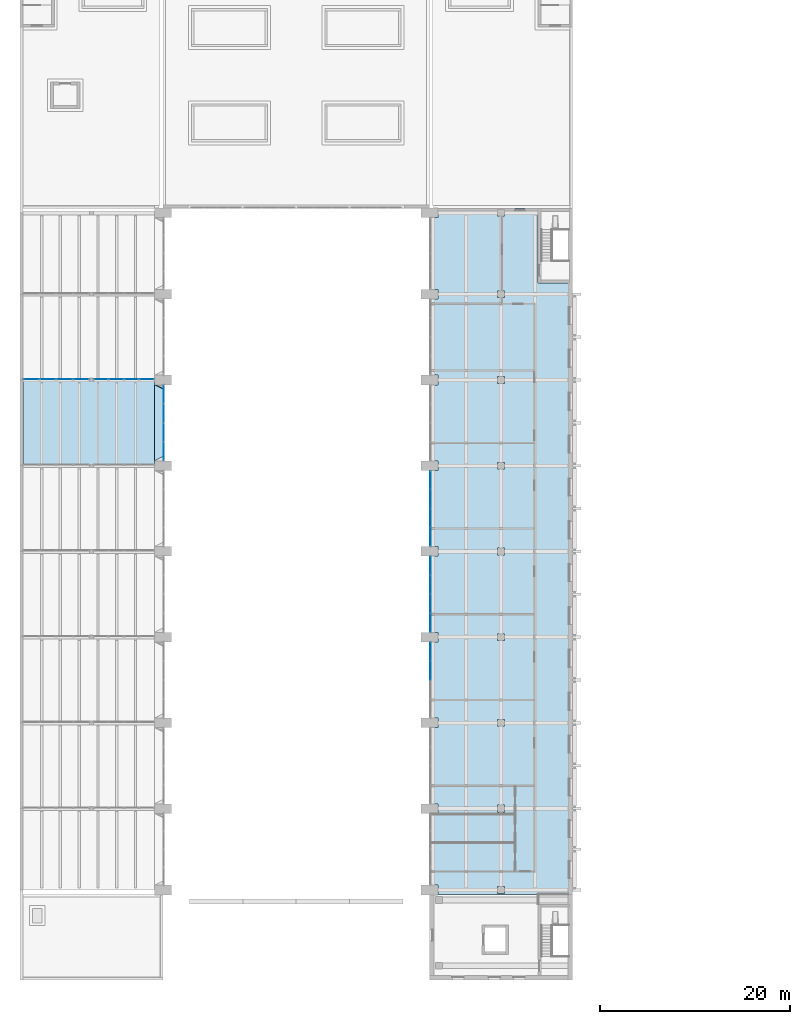
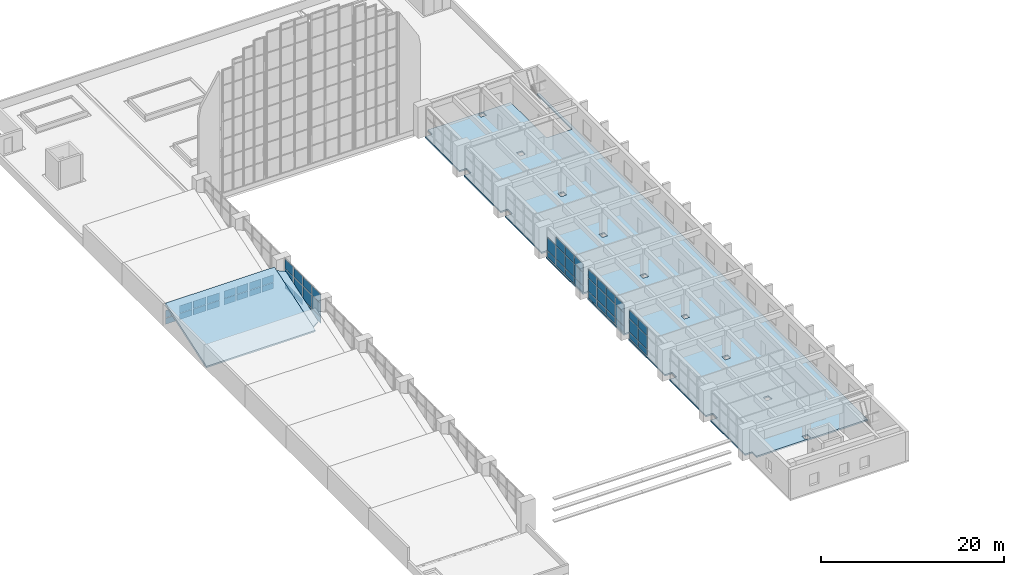
# One storey, part 25 of 43: 57 plates, 3 slabs, 12 elements without a shape of their own.
"""IFC4 building model written with IfcOpenShell, lengths in metres."""

from ifc_helpers import new_model, si_unit, direction, frame, origin, origin_2d, place, context, subcontext, project, spatial, polyline, rectangle, outline, extrude, material, layer, layer_set, type_object, element, aggregate, save


model = new_model("IFC4")

# Units and contexts
model_context = context("Model", 3, precision=1e-05, world=origin(), true_north=direction((0.0, 1.0)))
body_context = subcontext(model_context, "Body", "Model", "MODEL_VIEW")
ifc_project = project(units=[si_unit("LENGTHUNIT", "METRE"), si_unit("AREAUNIT", "SQUARE_METRE"), si_unit("VOLUMEUNIT", "CUBIC_METRE"), si_unit("PLANEANGLEUNIT", "RADIAN"), si_unit("MASSUNIT", "GRAM", prefix="KILO")], contexts=[model_context])

# Site, building, storey
site_placement = place(None, origin())
site = spatial("IfcSite", under=ifc_project, at=site_placement, CompositionType="ELEMENT")
building_placement = place(site_placement, origin())
building = spatial("IfcBuilding", under=site, at=building_placement, Name="Elmora Arch Market Hall", CompositionType="ELEMENT")
storey_placement = place(building_placement, frame((0.0, 0.0, 10.199951171875)))
storey = spatial("IfcBuildingStorey", under=building, at=storey_placement, Name="L02", CompositionType="ELEMENT", Elevation=10.199951171875)

# Slab
ifc_material_1 = material(Name="Concrete C32/40", Category="concrete")
ifc_layer_1 = layer(ifc_material_1, 0.199951171875)
ifc_layer_set_1 = layer_set([ifc_layer_1], Name="Concrete C32/40")
slab_type_1 = type_object("IfcSlabType", Name="Floor slab 200", PredefinedType="FLOOR", material=ifc_layer_set_1)
slab_1_placement = place(storey_placement, frame((0.0, 0.0, -0.199951171875)))
element("IfcSlab", 1, at=slab_1_placement, inside=storey, type_object=slab_type_1, Name="L02 floor slab EW", PredefinedType="FLOOR", context=body_context, shape_type="SweptSolid", body=[
    extrude(outline(polyline([(58.0, 99.0), (58.0, 27.0), (43.90087890625, 27.0), (43.90087890625, 27.950927734375), (43.0, 27.950927734375), (43.0, 35.4990234375), (43.90087890625, 35.4990234375), (43.90087890625, 36.5009765625), (43.0, 36.5009765625), (43.0, 44.4990234375), (43.90087890625, 44.4990234375), (43.90087890625, 45.5009765625), (43.0, 45.5009765625), (43.0, 53.4990234375), (43.90087890625, 53.4990234375), (43.90087890625, 54.5009765625), (43.0, 54.5009765625), (43.0, 62.4990234375), (43.90087890625, 62.4990234375), (43.90087890625, 63.5009765625), (43.0, 63.5009765625), (43.0, 71.4990234375), (43.90087890625, 71.4990234375), (43.90087890625, 72.5009765625), (43.0, 72.5009765625), (43.0, 80.4990234375), (43.90087890625, 80.4990234375), (43.90087890625, 81.5009765625), (43.0, 81.5009765625), (43.0, 89.4990234375), (43.90087890625, 89.4990234375), (43.90087890625, 90.5009765625), (43.0, 90.5009765625), (43.0, 98.049072265625), (43.90087890625, 98.049072265625), (43.90087890625, 99.0), (54.39892578125, 99.0), (54.39892578125, 91.198974609375), (57.700927734375, 91.198974609375), (57.700927734375, 99.0), (58.0, 99.0)]), holes=[polyline([(50.14892578125, 54.35107421875), (50.14892578125, 53.64892578125), (50.85107421875, 53.64892578125), (50.85107421875, 54.35107421875), (50.14892578125, 54.35107421875)]), polyline([(50.14892578125, 27.09912109375), (50.85107421875, 27.09912109375), (50.85107421875, 27.801025390625), (50.14892578125, 27.801025390625), (50.14892578125, 27.09912109375)]), polyline([(50.14892578125, 44.64892578125), (50.85107421875, 44.64892578125), (50.85107421875, 45.35107421875), (50.14892578125, 45.35107421875), (50.14892578125, 44.64892578125)]), polyline([(50.14892578125, 71.64892578125), (50.85107421875, 71.64892578125), (50.85107421875, 72.35107421875), (50.14892578125, 72.35107421875), (50.14892578125, 71.64892578125)]), polyline([(50.14892578125, 36.35107421875), (50.14892578125, 35.64892578125), (50.85107421875, 35.64892578125), (50.85107421875, 36.35107421875), (50.14892578125, 36.35107421875)]), polyline([(50.14892578125, 63.35107421875), (50.14892578125, 62.64892578125), (50.85107421875, 62.64892578125), (50.85107421875, 63.35107421875), (50.14892578125, 63.35107421875)]), polyline([(50.14892578125, 81.35107421875), (50.14892578125, 80.64892578125), (50.85107421875, 80.64892578125), (50.85107421875, 81.35107421875), (50.14892578125, 81.35107421875)]), polyline([(50.14892578125, 90.35107421875), (50.14892578125, 89.64892578125), (50.85107421875, 89.64892578125), (50.85107421875, 90.35107421875), (50.14892578125, 90.35107421875)]), polyline([(50.14892578125, 98.90087890625), (50.14892578125, 98.198974609375), (50.85107421875, 98.198974609375), (50.85107421875, 98.90087890625), (50.14892578125, 98.90087890625)])]), origin(), (0.0, 0.0, 1.0), 0.199951171875),
])

# Curtain wall, plates
ifc_material_2 = material(Name="Aluminium", Category="aluminium")
curtain_wall_type_1 = type_object("IfcCurtainWallType", Name="Hall front curtain wall", PredefinedType="NOTDEFINED", material=ifc_material_2)
curtain_wall_1_placement = place(storey_placement, origin())
curtain_wall_1 = element("IfcCurtainWall", 2, at=curtain_wall_1_placement, inside=storey, type_object=curtain_wall_type_1, Name="Wing front E L02 3", PredefinedType="NOTDEFINED")
ifc_material_3 = material(Name="Glass", Category="glass")
ifc_layer_2 = layer(ifc_material_3, 0.028076171875)
ifc_layer_set_2 = layer_set([ifc_layer_2], Name="Glass")
plate_type = type_object("IfcPlateType", Name="Glass panel 28", PredefinedType="CURTAIN_PANEL", material=ifc_layer_set_2)
plate_1_placement = place(storey_placement, frame((43.10009765625, 50.5, 0.06005859375), z_axis=(0.0, 0.0, 1.0), x_axis=(0.0, 1.0, 0.0)))
plate_1 = element("IfcPlate", 3, at=plate_1_placement, type_object=plate_type, Name="CW2 panel 3.1", PredefinedType="CURTAIN_PANEL", context=body_context, shape_type="SweptSolid", body=[
    extrude(rectangle(XDim=1.919921875, YDim=0.028076171875, at=origin_2d()), origin(), (0.0, 0.0, 1.0), 0.81005859375),
])
plate_2_placement = place(storey_placement, frame((43.10009765625, 50.5, 0.93017578125), z_axis=(0.0, 0.0, 1.0), x_axis=(0.0, 1.0, 0.0)))
plate_2 = element("IfcPlate", 4, at=plate_2_placement, type_object=plate_type, Name="CW2 panel 3.2", PredefinedType="CURTAIN_PANEL", context=body_context, shape_type="SweptSolid", body=[
    extrude(rectangle(XDim=1.919921875, YDim=0.028076171875, at=origin_2d()), origin(), (0.0, 0.0, 1.0), 1.739990234375),
])
plate_3_placement = place(storey_placement, frame((43.10009765625, 50.5, 2.72998046875), z_axis=(0.0, 0.0, 1.0), x_axis=(0.0, 1.0, 0.0)))
plate_3 = element("IfcPlate", 5, at=plate_3_placement, type_object=plate_type, Name="CW2 panel 3.3", PredefinedType="CURTAIN_PANEL", context=body_context, shape_type="SweptSolid", body=[
    extrude(rectangle(XDim=1.919921875, YDim=0.028076171875, at=origin_2d()), origin(), (0.0, 0.0, 1.0), 1.110107421875),
])
plate_4_placement = place(storey_placement, frame((43.10009765625, 52.47998046875, 0.06005859375), z_axis=(0.0, 0.0, 1.0), x_axis=(0.0, 1.0, 0.0)))
plate_4 = element("IfcPlate", 6, at=plate_4_placement, type_object=plate_type, Name="CW2 panel 4.1", PredefinedType="CURTAIN_PANEL", context=body_context, shape_type="SweptSolid", body=[
    extrude(rectangle(XDim=1.8798828125, YDim=0.028076171875, at=origin_2d()), origin(), (0.0, 0.0, 1.0), 0.81005859375),
])
plate_5_placement = place(storey_placement, frame((43.10009765625, 52.47998046875, 0.93017578125), z_axis=(0.0, 0.0, 1.0), x_axis=(0.0, 1.0, 0.0)))
plate_5 = element("IfcPlate", 7, at=plate_5_placement, type_object=plate_type, Name="CW2 panel 4.2", PredefinedType="CURTAIN_PANEL", context=body_context, shape_type="SweptSolid", body=[
    extrude(rectangle(XDim=1.8798828125, YDim=0.028076171875, at=origin_2d()), origin(), (0.0, 0.0, 1.0), 1.739990234375),
])
plate_6_placement = place(storey_placement, frame((43.10009765625, 52.47998046875, 2.72998046875), z_axis=(0.0, 0.0, 1.0), x_axis=(0.0, 1.0, 0.0)))
plate_6 = element("IfcPlate", 8, at=plate_6_placement, type_object=plate_type, Name="CW2 panel 4.3", PredefinedType="CURTAIN_PANEL", context=body_context, shape_type="SweptSolid", body=[
    extrude(rectangle(XDim=1.8798828125, YDim=0.028076171875, at=origin_2d()), origin(), (0.0, 0.0, 1.0), 1.110107421875),
])
aggregate(curtain_wall_1, [plate_1, plate_2, plate_3, plate_4, plate_5, plate_6])

curtain_wall_2_placement = place(storey_placement, origin())
curtain_wall_2 = element("IfcCurtainWall", 9, at=curtain_wall_2_placement, inside=storey, type_object=curtain_wall_type_1, Name="Wing front E L02 4", PredefinedType="NOTDEFINED")
plate_7_placement = place(storey_placement, frame((43.10009765625, 55.52001953125, 0.06005859375), z_axis=(0.0, 0.0, 1.0), x_axis=(0.0, 1.0, 0.0)))
plate_7 = element("IfcPlate", 10, at=plate_7_placement, type_object=plate_type, Name="CW2 panel 1.1", PredefinedType="CURTAIN_PANEL", context=body_context, shape_type="SweptSolid", body=[
    extrude(rectangle(XDim=1.8798828125, YDim=0.028076171875, at=origin_2d()), origin(), (0.0, 0.0, 1.0), 0.81005859375),
])
plate_8_placement = place(storey_placement, frame((43.10009765625, 55.52001953125, 0.93017578125), z_axis=(0.0, 0.0, 1.0), x_axis=(0.0, 1.0, 0.0)))
plate_8 = element("IfcPlate", 11, at=plate_8_placement, type_object=plate_type, Name="CW2 panel 1.2", PredefinedType="CURTAIN_PANEL", context=body_context, shape_type="SweptSolid", body=[
    extrude(rectangle(XDim=1.8798828125, YDim=0.028076171875, at=origin_2d()), origin(), (0.0, 0.0, 1.0), 1.739990234375),
])
plate_9_placement = place(storey_placement, frame((43.10009765625, 55.52001953125, 2.72998046875), z_axis=(0.0, 0.0, 1.0), x_axis=(0.0, 1.0, 0.0)))
plate_9 = element("IfcPlate", 12, at=plate_9_placement, type_object=plate_type, Name="CW2 panel 1.3", PredefinedType="CURTAIN_PANEL", context=body_context, shape_type="SweptSolid", body=[
    extrude(rectangle(XDim=1.8798828125, YDim=0.028076171875, at=origin_2d()), origin(), (0.0, 0.0, 1.0), 1.110107421875),
])
plate_10_placement = place(storey_placement, frame((43.10009765625, 57.5, 0.06005859375), z_axis=(0.0, 0.0, 1.0), x_axis=(0.0, 1.0, 0.0)))
plate_10 = element("IfcPlate", 13, at=plate_10_placement, type_object=plate_type, Name="CW2 panel 2.1", PredefinedType="CURTAIN_PANEL", context=body_context, shape_type="SweptSolid", body=[
    extrude(rectangle(XDim=1.919921875, YDim=0.028076171875, at=origin_2d()), origin(), (0.0, 0.0, 1.0), 0.81005859375),
])
plate_11_placement = place(storey_placement, frame((43.10009765625, 57.5, 0.93017578125), z_axis=(0.0, 0.0, 1.0), x_axis=(0.0, 1.0, 0.0)))
plate_11 = element("IfcPlate", 14, at=plate_11_placement, type_object=plate_type, Name="CW2 panel 2.2", PredefinedType="CURTAIN_PANEL", context=body_context, shape_type="SweptSolid", body=[
    extrude(rectangle(XDim=1.919921875, YDim=0.028076171875, at=origin_2d()), origin(), (0.0, 0.0, 1.0), 1.739990234375),
])
plate_12_placement = place(storey_placement, frame((43.10009765625, 57.5, 2.72998046875), z_axis=(0.0, 0.0, 1.0), x_axis=(0.0, 1.0, 0.0)))
plate_12 = element("IfcPlate", 15, at=plate_12_placement, type_object=plate_type, Name="CW2 panel 2.3", PredefinedType="CURTAIN_PANEL", context=body_context, shape_type="SweptSolid", body=[
    extrude(rectangle(XDim=1.919921875, YDim=0.028076171875, at=origin_2d()), origin(), (0.0, 0.0, 1.0), 1.110107421875),
])
plate_13_placement = place(storey_placement, frame((43.10009765625, 59.5, 0.06005859375), z_axis=(0.0, 0.0, 1.0), x_axis=(0.0, 1.0, 0.0)))
plate_13 = element("IfcPlate", 16, at=plate_13_placement, type_object=plate_type, Name="CW2 panel 3.1", PredefinedType="CURTAIN_PANEL", context=body_context, shape_type="SweptSolid", body=[
    extrude(rectangle(XDim=1.919921875, YDim=0.028076171875, at=origin_2d()), origin(), (0.0, 0.0, 1.0), 0.81005859375),
])
plate_14_placement = place(storey_placement, frame((43.10009765625, 59.5, 0.93017578125), z_axis=(0.0, 0.0, 1.0), x_axis=(0.0, 1.0, 0.0)))
plate_14 = element("IfcPlate", 17, at=plate_14_placement, type_object=plate_type, Name="CW2 panel 3.2", PredefinedType="CURTAIN_PANEL", context=body_context, shape_type="SweptSolid", body=[
    extrude(rectangle(XDim=1.919921875, YDim=0.028076171875, at=origin_2d()), origin(), (0.0, 0.0, 1.0), 1.739990234375),
])
plate_15_placement = place(storey_placement, frame((43.10009765625, 59.5, 2.72998046875), z_axis=(0.0, 0.0, 1.0), x_axis=(0.0, 1.0, 0.0)))
plate_15 = element("IfcPlate", 18, at=plate_15_placement, type_object=plate_type, Name="CW2 panel 3.3", PredefinedType="CURTAIN_PANEL", context=body_context, shape_type="SweptSolid", body=[
    extrude(rectangle(XDim=1.919921875, YDim=0.028076171875, at=origin_2d()), origin(), (0.0, 0.0, 1.0), 1.110107421875),
])
plate_16_placement = place(storey_placement, frame((43.10009765625, 61.47998046875, 0.06005859375), z_axis=(0.0, 0.0, 1.0), x_axis=(0.0, 1.0, 0.0)))
plate_16 = element("IfcPlate", 19, at=plate_16_placement, type_object=plate_type, Name="CW2 panel 4.1", PredefinedType="CURTAIN_PANEL", context=body_context, shape_type="SweptSolid", body=[
    extrude(rectangle(XDim=1.8798828125, YDim=0.028076171875, at=origin_2d()), origin(), (0.0, 0.0, 1.0), 0.81005859375),
])
plate_17_placement = place(storey_placement, frame((43.10009765625, 61.47998046875, 0.93017578125), z_axis=(0.0, 0.0, 1.0), x_axis=(0.0, 1.0, 0.0)))
plate_17 = element("IfcPlate", 20, at=plate_17_placement, type_object=plate_type, Name="CW2 panel 4.2", PredefinedType="CURTAIN_PANEL", context=body_context, shape_type="SweptSolid", body=[
    extrude(rectangle(XDim=1.8798828125, YDim=0.028076171875, at=origin_2d()), origin(), (0.0, 0.0, 1.0), 1.739990234375),
])
plate_18_placement = place(storey_placement, frame((43.10009765625, 61.47998046875, 2.72998046875), z_axis=(0.0, 0.0, 1.0), x_axis=(0.0, 1.0, 0.0)))
plate_18 = element("IfcPlate", 21, at=plate_18_placement, type_object=plate_type, Name="CW2 panel 4.3", PredefinedType="CURTAIN_PANEL", context=body_context, shape_type="SweptSolid", body=[
    extrude(rectangle(XDim=1.8798828125, YDim=0.028076171875, at=origin_2d()), origin(), (0.0, 0.0, 1.0), 1.110107421875),
])
aggregate(curtain_wall_2, [plate_7, plate_8, plate_9, plate_10, plate_11, plate_12, plate_13, plate_14, plate_15, plate_16, plate_17, plate_18])

curtain_wall_3_placement = place(storey_placement, origin())
curtain_wall_3 = element("IfcCurtainWall", 22, at=curtain_wall_3_placement, inside=storey, type_object=curtain_wall_type_1, Name="Wing front E L02 5", PredefinedType="NOTDEFINED")
plate_19_placement = place(storey_placement, frame((43.10009765625, 64.52001953125, 0.06005859375), z_axis=(0.0, 0.0, 1.0), x_axis=(0.0, 1.0, 0.0)))
plate_19 = element("IfcPlate", 23, at=plate_19_placement, type_object=plate_type, Name="CW2 panel 1.1", PredefinedType="CURTAIN_PANEL", context=body_context, shape_type="SweptSolid", body=[
    extrude(rectangle(XDim=1.8798828125, YDim=0.028076171875, at=origin_2d()), origin(), (0.0, 0.0, 1.0), 0.81005859375),
])
plate_20_placement = place(storey_placement, frame((43.10009765625, 64.52001953125, 0.93017578125), z_axis=(0.0, 0.0, 1.0), x_axis=(0.0, 1.0, 0.0)))
plate_20 = element("IfcPlate", 24, at=plate_20_placement, type_object=plate_type, Name="CW2 panel 1.2", PredefinedType="CURTAIN_PANEL", context=body_context, shape_type="SweptSolid", body=[
    extrude(rectangle(XDim=1.8798828125, YDim=0.028076171875, at=origin_2d()), origin(), (0.0, 0.0, 1.0), 1.739990234375),
])
plate_21_placement = place(storey_placement, frame((43.10009765625, 64.52001953125, 2.72998046875), z_axis=(0.0, 0.0, 1.0), x_axis=(0.0, 1.0, 0.0)))
plate_21 = element("IfcPlate", 25, at=plate_21_placement, type_object=plate_type, Name="CW2 panel 1.3", PredefinedType="CURTAIN_PANEL", context=body_context, shape_type="SweptSolid", body=[
    extrude(rectangle(XDim=1.8798828125, YDim=0.028076171875, at=origin_2d()), origin(), (0.0, 0.0, 1.0), 1.110107421875),
])
plate_22_placement = place(storey_placement, frame((43.10009765625, 66.5, 0.06005859375), z_axis=(0.0, 0.0, 1.0), x_axis=(0.0, 1.0, 0.0)))
plate_22 = element("IfcPlate", 26, at=plate_22_placement, type_object=plate_type, Name="CW2 panel 2.1", PredefinedType="CURTAIN_PANEL", context=body_context, shape_type="SweptSolid", body=[
    extrude(rectangle(XDim=1.919921875, YDim=0.028076171875, at=origin_2d()), origin(), (0.0, 0.0, 1.0), 0.81005859375),
])
plate_23_placement = place(storey_placement, frame((43.10009765625, 66.5, 0.93017578125), z_axis=(0.0, 0.0, 1.0), x_axis=(0.0, 1.0, 0.0)))
plate_23 = element("IfcPlate", 27, at=plate_23_placement, type_object=plate_type, Name="CW2 panel 2.2", PredefinedType="CURTAIN_PANEL", context=body_context, shape_type="SweptSolid", body=[
    extrude(rectangle(XDim=1.919921875, YDim=0.028076171875, at=origin_2d()), origin(), (0.0, 0.0, 1.0), 1.739990234375),
])
plate_24_placement = place(storey_placement, frame((43.10009765625, 66.5, 2.72998046875), z_axis=(0.0, 0.0, 1.0), x_axis=(0.0, 1.0, 0.0)))
plate_24 = element("IfcPlate", 28, at=plate_24_placement, type_object=plate_type, Name="CW2 panel 2.3", PredefinedType="CURTAIN_PANEL", context=body_context, shape_type="SweptSolid", body=[
    extrude(rectangle(XDim=1.919921875, YDim=0.028076171875, at=origin_2d()), origin(), (0.0, 0.0, 1.0), 1.110107421875),
])
plate_25_placement = place(storey_placement, frame((43.10009765625, 68.5, 0.06005859375), z_axis=(0.0, 0.0, 1.0), x_axis=(0.0, 1.0, 0.0)))
plate_25 = element("IfcPlate", 29, at=plate_25_placement, type_object=plate_type, Name="CW2 panel 3.1", PredefinedType="CURTAIN_PANEL", context=body_context, shape_type="SweptSolid", body=[
    extrude(rectangle(XDim=1.919921875, YDim=0.028076171875, at=origin_2d()), origin(), (0.0, 0.0, 1.0), 0.81005859375),
])
plate_26_placement = place(storey_placement, frame((43.10009765625, 68.5, 0.93017578125), z_axis=(0.0, 0.0, 1.0), x_axis=(0.0, 1.0, 0.0)))
plate_26 = element("IfcPlate", 30, at=plate_26_placement, type_object=plate_type, Name="CW2 panel 3.2", PredefinedType="CURTAIN_PANEL", context=body_context, shape_type="SweptSolid", body=[
    extrude(rectangle(XDim=1.919921875, YDim=0.028076171875, at=origin_2d()), origin(), (0.0, 0.0, 1.0), 1.739990234375),
])
plate_27_placement = place(storey_placement, frame((43.10009765625, 68.5, 2.72998046875), z_axis=(0.0, 0.0, 1.0), x_axis=(0.0, 1.0, 0.0)))
plate_27 = element("IfcPlate", 31, at=plate_27_placement, type_object=plate_type, Name="CW2 panel 3.3", PredefinedType="CURTAIN_PANEL", context=body_context, shape_type="SweptSolid", body=[
    extrude(rectangle(XDim=1.919921875, YDim=0.028076171875, at=origin_2d()), origin(), (0.0, 0.0, 1.0), 1.110107421875),
])
plate_28_placement = place(storey_placement, frame((43.10009765625, 70.47998046875, 0.06005859375), z_axis=(0.0, 0.0, 1.0), x_axis=(0.0, 1.0, 0.0)))
plate_28 = element("IfcPlate", 32, at=plate_28_placement, type_object=plate_type, Name="CW2 panel 4.1", PredefinedType="CURTAIN_PANEL", context=body_context, shape_type="SweptSolid", body=[
    extrude(rectangle(XDim=1.8798828125, YDim=0.028076171875, at=origin_2d()), origin(), (0.0, 0.0, 1.0), 0.81005859375),
])
plate_29_placement = place(storey_placement, frame((43.10009765625, 70.47998046875, 0.93017578125), z_axis=(0.0, 0.0, 1.0), x_axis=(0.0, 1.0, 0.0)))
plate_29 = element("IfcPlate", 33, at=plate_29_placement, type_object=plate_type, Name="CW2 panel 4.2", PredefinedType="CURTAIN_PANEL", context=body_context, shape_type="SweptSolid", body=[
    extrude(rectangle(XDim=1.8798828125, YDim=0.028076171875, at=origin_2d()), origin(), (0.0, 0.0, 1.0), 1.739990234375),
])
aggregate(curtain_wall_3, [plate_19, plate_20, plate_21, plate_22, plate_23, plate_24, plate_25, plate_26, plate_27, plate_28, plate_29])

curtain_wall_4_placement = place(storey_placement, origin())
curtain_wall_4 = element("IfcCurtainWall", 34, at=curtain_wall_4_placement, inside=storey, type_object=curtain_wall_type_1, Name="Hall west glazing L02 6", PredefinedType="NOTDEFINED")
plate_30_placement = place(storey_placement, frame((15.090087890625, 73.52001953125, 0.226806640625), z_axis=(0.0, 0.0, 1.0), x_axis=(0.0, 1.0, 0.0)))
plate_30 = element("IfcPlate", 35, at=plate_30_placement, type_object=plate_type, Name="CW2 panel 1.1", PredefinedType="CURTAIN_PANEL", context=body_context, shape_type="SweptSolid", body=[
    extrude(rectangle(XDim=1.8798828125, YDim=0.028076171875, at=origin_2d()), origin(), (0.0, 0.0, 1.0), 0.81005859375),
])
plate_31_placement = place(storey_placement, frame((15.090087890625, 73.52001953125, 1.0966796875), z_axis=(0.0, 0.0, 1.0), x_axis=(0.0, 1.0, 0.0)))
plate_31 = element("IfcPlate", 36, at=plate_31_placement, type_object=plate_type, Name="CW2 panel 1.2", PredefinedType="CURTAIN_PANEL", context=body_context, shape_type="SweptSolid", body=[
    extrude(rectangle(XDim=1.8798828125, YDim=0.028076171875, at=origin_2d()), origin(), (0.0, 0.0, 1.0), 1.739990234375),
])
plate_32_placement = place(storey_placement, frame((15.090087890625, 73.52001953125, 2.896484375), z_axis=(0.0, 0.0, 1.0), x_axis=(0.0, 1.0, 0.0)))
plate_32 = element("IfcPlate", 37, at=plate_32_placement, type_object=plate_type, Name="CW2 panel 1.3", PredefinedType="CURTAIN_PANEL", context=body_context, shape_type="SweptSolid", body=[
    extrude(rectangle(XDim=1.8798828125, YDim=0.028076171875, at=origin_2d()), origin(), (0.0, 0.0, 1.0), 1.243408203125),
])
plate_33_placement = place(storey_placement, frame((15.090087890625, 75.5, 0.226806640625), z_axis=(0.0, 0.0, 1.0), x_axis=(0.0, 1.0, 0.0)))
plate_33 = element("IfcPlate", 38, at=plate_33_placement, type_object=plate_type, Name="CW2 panel 2.1", PredefinedType="CURTAIN_PANEL", context=body_context, shape_type="SweptSolid", body=[
    extrude(rectangle(XDim=1.919921875, YDim=0.028076171875, at=origin_2d()), origin(), (0.0, 0.0, 1.0), 0.81005859375),
])
plate_34_placement = place(storey_placement, frame((15.090087890625, 75.5, 1.0966796875), z_axis=(0.0, 0.0, 1.0), x_axis=(0.0, 1.0, 0.0)))
plate_34 = element("IfcPlate", 39, at=plate_34_placement, type_object=plate_type, Name="CW2 panel 2.2", PredefinedType="CURTAIN_PANEL", context=body_context, shape_type="SweptSolid", body=[
    extrude(rectangle(XDim=1.919921875, YDim=0.028076171875, at=origin_2d()), origin(), (0.0, 0.0, 1.0), 1.739990234375),
])
plate_35_placement = place(storey_placement, frame((15.090087890625, 75.5, 2.896484375), z_axis=(0.0, 0.0, 1.0), x_axis=(0.0, 1.0, 0.0)))
plate_35 = element("IfcPlate", 40, at=plate_35_placement, type_object=plate_type, Name="CW2 panel 2.3", PredefinedType="CURTAIN_PANEL", context=body_context, shape_type="SweptSolid", body=[
    extrude(rectangle(XDim=1.919921875, YDim=0.028076171875, at=origin_2d()), origin(), (0.0, 0.0, 1.0), 1.243408203125),
])
plate_36_placement = place(storey_placement, frame((15.090087890625, 77.5, 0.226806640625), z_axis=(0.0, 0.0, 1.0), x_axis=(0.0, 1.0, 0.0)))
plate_36 = element("IfcPlate", 41, at=plate_36_placement, type_object=plate_type, Name="CW2 panel 3.1", PredefinedType="CURTAIN_PANEL", context=body_context, shape_type="SweptSolid", body=[
    extrude(rectangle(XDim=1.919921875, YDim=0.028076171875, at=origin_2d()), origin(), (0.0, 0.0, 1.0), 0.81005859375),
])
plate_37_placement = place(storey_placement, frame((15.090087890625, 77.5, 1.0966796875), z_axis=(0.0, 0.0, 1.0), x_axis=(0.0, 1.0, 0.0)))
plate_37 = element("IfcPlate", 42, at=plate_37_placement, type_object=plate_type, Name="CW2 panel 3.2", PredefinedType="CURTAIN_PANEL", context=body_context, shape_type="SweptSolid", body=[
    extrude(rectangle(XDim=1.919921875, YDim=0.028076171875, at=origin_2d()), origin(), (0.0, 0.0, 1.0), 1.739990234375),
])
plate_38_placement = place(storey_placement, frame((15.090087890625, 77.5, 2.896484375), z_axis=(0.0, 0.0, 1.0), x_axis=(0.0, 1.0, 0.0)))
plate_38 = element("IfcPlate", 43, at=plate_38_placement, type_object=plate_type, Name="CW2 panel 3.3", PredefinedType="CURTAIN_PANEL", context=body_context, shape_type="SweptSolid", body=[
    extrude(rectangle(XDim=1.919921875, YDim=0.028076171875, at=origin_2d()), origin(), (0.0, 0.0, 1.0), 1.243408203125),
])
plate_39_placement = place(storey_placement, frame((15.090087890625, 79.47998046875, 0.226806640625), z_axis=(0.0, 0.0, 1.0), x_axis=(0.0, 1.0, 0.0)))
plate_39 = element("IfcPlate", 44, at=plate_39_placement, type_object=plate_type, Name="CW2 panel 4.1", PredefinedType="CURTAIN_PANEL", context=body_context, shape_type="SweptSolid", body=[
    extrude(rectangle(XDim=1.8798828125, YDim=0.028076171875, at=origin_2d()), origin(), (0.0, 0.0, 1.0), 0.81005859375),
])
plate_40_placement = place(storey_placement, frame((15.090087890625, 79.47998046875, 1.0966796875), z_axis=(0.0, 0.0, 1.0), x_axis=(0.0, 1.0, 0.0)))
plate_40 = element("IfcPlate", 45, at=plate_40_placement, type_object=plate_type, Name="CW2 panel 4.2", PredefinedType="CURTAIN_PANEL", context=body_context, shape_type="SweptSolid", body=[
    extrude(rectangle(XDim=1.8798828125, YDim=0.028076171875, at=origin_2d()), origin(), (0.0, 0.0, 1.0), 1.739990234375),
])
plate_41_placement = place(storey_placement, frame((15.090087890625, 79.47998046875, 2.896484375), z_axis=(0.0, 0.0, 1.0), x_axis=(0.0, 1.0, 0.0)))
plate_41 = element("IfcPlate", 46, at=plate_41_placement, type_object=plate_type, Name="CW2 panel 4.3", PredefinedType="CURTAIN_PANEL", context=body_context, shape_type="SweptSolid", body=[
    extrude(rectangle(XDim=1.8798828125, YDim=0.028076171875, at=origin_2d()), origin(), (0.0, 0.0, 1.0), 1.243408203125),
])
aggregate(curtain_wall_4, [plate_30, plate_31, plate_32, plate_33, plate_34, plate_35, plate_36, plate_37, plate_38, plate_39, plate_40, plate_41])

ifc_material_4 = material(Name="Aluminium", Category="aluminium")
curtain_wall_type_2 = type_object("IfcCurtainWallType", Name="Sawtooth glazing curtain wall", PredefinedType="NOTDEFINED", material=ifc_material_4)
curtain_wall_5_placement = place(storey_placement, origin())
curtain_wall_5 = element("IfcCurtainWall", 47, at=curtain_wall_5_placement, inside=storey, type_object=curtain_wall_type_2, Name="Sawtooth riser 6 part 1.1", PredefinedType="NOTDEFINED")
plate_42_placement = place(storey_placement, frame((1.175048828125, 81.090087890625, 0.090087890625), z_axis=(0.0, 0.0, 1.0), x_axis=(1.0, 0.0, 0.0)))
plate_42 = element("IfcPlate", 48, at=plate_42_placement, type_object=plate_type, Name="CW7 panel 1.1", PredefinedType="CURTAIN_PANEL", context=body_context, shape_type="SweptSolid", body=[
    extrude(rectangle(XDim=1.590087890625, YDim=0.028076171875, at=origin_2d()), origin(), (0.0, 0.0, 1.0), 0.81005859375),
])
plate_43_placement = place(storey_placement, frame((1.175048828125, 81.090087890625, 0.9599609375), z_axis=(0.0, 0.0, 1.0), x_axis=(1.0, 0.0, 0.0)))
plate_43 = element("IfcPlate", 49, at=plate_43_placement, type_object=plate_type, Name="CW7 panel 1.2", PredefinedType="CURTAIN_PANEL", context=body_context, shape_type="SweptSolid", body=[
    extrude(rectangle(XDim=1.590087890625, YDim=0.028076171875, at=origin_2d()), origin(), (0.0, 0.0, 1.0), 0.97998046875),
])
aggregate(curtain_wall_5, [plate_42, plate_43])

curtain_wall_6_placement = place(storey_placement, origin())
curtain_wall_6 = element("IfcCurtainWall", 50, at=curtain_wall_6_placement, inside=storey, type_object=curtain_wall_type_2, Name="Sawtooth riser 6 part 1.2", PredefinedType="NOTDEFINED")
plate_44_placement = place(storey_placement, frame((2.925048828125, 81.090087890625, 0.090087890625), z_axis=(0.0, 0.0, 1.0), x_axis=(1.0, 0.0, 0.0)))
plate_44 = element("IfcPlate", 51, at=plate_44_placement, type_object=plate_type, Name="CW7 panel 1.1", PredefinedType="CURTAIN_PANEL", context=body_context, shape_type="SweptSolid", body=[
    extrude(rectangle(XDim=1.590087890625, YDim=0.028076171875, at=origin_2d()), origin(), (0.0, 0.0, 1.0), 0.81005859375),
])
plate_45_placement = place(storey_placement, frame((2.925048828125, 81.090087890625, 0.9599609375), z_axis=(0.0, 0.0, 1.0), x_axis=(1.0, 0.0, 0.0)))
plate_45 = element("IfcPlate", 52, at=plate_45_placement, type_object=plate_type, Name="CW7 panel 1.2", PredefinedType="CURTAIN_PANEL", context=body_context, shape_type="SweptSolid", body=[
    extrude(rectangle(XDim=1.590087890625, YDim=0.028076171875, at=origin_2d()), origin(), (0.0, 0.0, 1.0), 0.97998046875),
])
aggregate(curtain_wall_6, [plate_44, plate_45])

curtain_wall_7_placement = place(storey_placement, origin())
curtain_wall_7 = element("IfcCurtainWall", 53, at=curtain_wall_7_placement, inside=storey, type_object=curtain_wall_type_2, Name="Sawtooth riser 6 part 1.3", PredefinedType="NOTDEFINED")
plate_46_placement = place(storey_placement, frame((4.675048828125, 81.090087890625, 0.090087890625), z_axis=(0.0, 0.0, 1.0), x_axis=(1.0, 0.0, 0.0)))
plate_46 = element("IfcPlate", 54, at=plate_46_placement, type_object=plate_type, Name="CW7 panel 1.1", PredefinedType="CURTAIN_PANEL", context=body_context, shape_type="SweptSolid", body=[
    extrude(rectangle(XDim=1.590087890625, YDim=0.028076171875, at=origin_2d()), origin(), (0.0, 0.0, 1.0), 0.81005859375),
])
plate_47_placement = place(storey_placement, frame((4.675048828125, 81.090087890625, 0.9599609375), z_axis=(0.0, 0.0, 1.0), x_axis=(1.0, 0.0, 0.0)))
plate_47 = element("IfcPlate", 55, at=plate_47_placement, type_object=plate_type, Name="CW7 panel 1.2", PredefinedType="CURTAIN_PANEL", context=body_context, shape_type="SweptSolid", body=[
    extrude(rectangle(XDim=1.590087890625, YDim=0.028076171875, at=origin_2d()), origin(), (0.0, 0.0, 1.0), 0.97998046875),
])
aggregate(curtain_wall_7, [plate_46, plate_47])

curtain_wall_8_placement = place(storey_placement, origin())
curtain_wall_8 = element("IfcCurtainWall", 56, at=curtain_wall_8_placement, inside=storey, type_object=curtain_wall_type_2, Name="Sawtooth riser 6 part 1.4", PredefinedType="NOTDEFINED")
plate_48_placement = place(storey_placement, frame((6.425048828125, 81.090087890625, 0.090087890625), z_axis=(0.0, 0.0, 1.0), x_axis=(1.0, 0.0, 0.0)))
plate_48 = element("IfcPlate", 57, at=plate_48_placement, type_object=plate_type, Name="CW7 panel 1.1", PredefinedType="CURTAIN_PANEL", context=body_context, shape_type="SweptSolid", body=[
    extrude(rectangle(XDim=1.590087890625, YDim=0.028076171875, at=origin_2d()), origin(), (0.0, 0.0, 1.0), 0.81005859375),
])
plate_49_placement = place(storey_placement, frame((6.425048828125, 81.090087890625, 0.9599609375), z_axis=(0.0, 0.0, 1.0), x_axis=(1.0, 0.0, 0.0)))
plate_49 = element("IfcPlate", 58, at=plate_49_placement, type_object=plate_type, Name="CW7 panel 1.2", PredefinedType="CURTAIN_PANEL", context=body_context, shape_type="SweptSolid", body=[
    extrude(rectangle(XDim=1.590087890625, YDim=0.028076171875, at=origin_2d()), origin(), (0.0, 0.0, 1.0), 0.97998046875),
])
aggregate(curtain_wall_8, [plate_48, plate_49])

curtain_wall_9_placement = place(storey_placement, origin())
curtain_wall_9 = element("IfcCurtainWall", 59, at=curtain_wall_9_placement, inside=storey, type_object=curtain_wall_type_2, Name="Sawtooth riser 6 part 2.1", PredefinedType="NOTDEFINED")
plate_50_placement = place(storey_placement, frame((8.5, 81.090087890625, 0.090087890625), z_axis=(0.0, 0.0, 1.0), x_axis=(1.0, 0.0, 0.0)))
plate_50 = element("IfcPlate", 60, at=plate_50_placement, type_object=plate_type, Name="CW7 panel 1.1", PredefinedType="CURTAIN_PANEL", context=body_context, shape_type="SweptSolid", body=[
    extrude(rectangle(XDim=1.43994140625, YDim=0.028076171875, at=origin_2d()), origin(), (0.0, 0.0, 1.0), 0.81005859375),
])
plate_51_placement = place(storey_placement, frame((8.5, 81.090087890625, 0.9599609375), z_axis=(0.0, 0.0, 1.0), x_axis=(1.0, 0.0, 0.0)))
plate_51 = element("IfcPlate", 61, at=plate_51_placement, type_object=plate_type, Name="CW7 panel 1.2", PredefinedType="CURTAIN_PANEL", context=body_context, shape_type="SweptSolid", body=[
    extrude(rectangle(XDim=1.43994140625, YDim=0.028076171875, at=origin_2d()), origin(), (0.0, 0.0, 1.0), 0.97998046875),
])
aggregate(curtain_wall_9, [plate_50, plate_51])

curtain_wall_10_placement = place(storey_placement, origin())
curtain_wall_10 = element("IfcCurtainWall", 62, at=curtain_wall_10_placement, inside=storey, type_object=curtain_wall_type_2, Name="Sawtooth riser 6 part 2.2", PredefinedType="NOTDEFINED")
plate_52_placement = place(storey_placement, frame((10.10009765625, 81.090087890625, 0.090087890625), z_axis=(0.0, 0.0, 1.0), x_axis=(1.0, 0.0, 0.0)))
plate_52 = element("IfcPlate", 63, at=plate_52_placement, type_object=plate_type, Name="CW7 panel 1.1", PredefinedType="CURTAIN_PANEL", context=body_context, shape_type="SweptSolid", body=[
    extrude(rectangle(XDim=1.43994140625, YDim=0.028076171875, at=origin_2d()), origin(), (0.0, 0.0, 1.0), 0.81005859375),
])
plate_53_placement = place(storey_placement, frame((10.10009765625, 81.090087890625, 0.9599609375), z_axis=(0.0, 0.0, 1.0), x_axis=(1.0, 0.0, 0.0)))
plate_53 = element("IfcPlate", 64, at=plate_53_placement, type_object=plate_type, Name="CW7 panel 1.2", PredefinedType="CURTAIN_PANEL", context=body_context, shape_type="SweptSolid", body=[
    extrude(rectangle(XDim=1.43994140625, YDim=0.028076171875, at=origin_2d()), origin(), (0.0, 0.0, 1.0), 0.97998046875),
])
aggregate(curtain_wall_10, [plate_52, plate_53])

curtain_wall_11_placement = place(storey_placement, origin())
curtain_wall_11 = element("IfcCurtainWall", 65, at=curtain_wall_11_placement, inside=storey, type_object=curtain_wall_type_2, Name="Sawtooth riser 6 part 2.3", PredefinedType="NOTDEFINED")
plate_54_placement = place(storey_placement, frame((11.699951171875, 81.090087890625, 0.090087890625), z_axis=(0.0, 0.0, 1.0), x_axis=(1.0, 0.0, 0.0)))
plate_54 = element("IfcPlate", 66, at=plate_54_placement, type_object=plate_type, Name="CW7 panel 1.1", PredefinedType="CURTAIN_PANEL", context=body_context, shape_type="SweptSolid", body=[
    extrude(rectangle(XDim=1.43994140625, YDim=0.028076171875, at=origin_2d()), origin(), (0.0, 0.0, 1.0), 0.81005859375),
])
plate_55_placement = place(storey_placement, frame((11.699951171875, 81.090087890625, 0.9599609375), z_axis=(0.0, 0.0, 1.0), x_axis=(1.0, 0.0, 0.0)))
plate_55 = element("IfcPlate", 67, at=plate_55_placement, type_object=plate_type, Name="CW7 panel 1.2", PredefinedType="CURTAIN_PANEL", context=body_context, shape_type="SweptSolid", body=[
    extrude(rectangle(XDim=1.43994140625, YDim=0.028076171875, at=origin_2d()), origin(), (0.0, 0.0, 1.0), 0.97998046875),
])
aggregate(curtain_wall_11, [plate_54, plate_55])

curtain_wall_12_placement = place(storey_placement, origin())
curtain_wall_12 = element("IfcCurtainWall", 68, at=curtain_wall_12_placement, inside=storey, type_object=curtain_wall_type_2, Name="Sawtooth riser 6 part 2.4", PredefinedType="NOTDEFINED")
plate_56_placement = place(storey_placement, frame((13.300048828125, 81.090087890625, 0.090087890625), z_axis=(0.0, 0.0, 1.0), x_axis=(1.0, 0.0, 0.0)))
plate_56 = element("IfcPlate", 69, at=plate_56_placement, type_object=plate_type, Name="CW7 panel 1.1", PredefinedType="CURTAIN_PANEL", context=body_context, shape_type="SweptSolid", body=[
    extrude(rectangle(XDim=1.43994140625, YDim=0.028076171875, at=origin_2d()), origin(), (0.0, 0.0, 1.0), 0.81005859375),
])
plate_57_placement = place(storey_placement, frame((13.300048828125, 81.090087890625, 0.9599609375), z_axis=(0.0, 0.0, 1.0), x_axis=(1.0, 0.0, 0.0)))
plate_57 = element("IfcPlate", 70, at=plate_57_placement, type_object=plate_type, Name="CW7 panel 1.2", PredefinedType="CURTAIN_PANEL", context=body_context, shape_type="SweptSolid", body=[
    extrude(rectangle(XDim=1.43994140625, YDim=0.028076171875, at=origin_2d()), origin(), (0.0, 0.0, 1.0), 0.97998046875),
])
aggregate(curtain_wall_12, [plate_56, plate_57])

# Slabs
ifc_material_5 = material(Name="Concrete C32/40", Category="concrete")
ifc_layer_3 = layer(ifc_material_5, 0.300048828125)
ifc_layer_set_3 = layer_set([ifc_layer_3], Name="Concrete C32/40")
slab_type_2 = type_object("IfcSlabType", Name="Roof slab 300", PredefinedType="ROOF", material=ifc_layer_set_3)
slab_2_placement = place(storey_placement, frame((0.300048828125, 72.0, 0.0), z_axis=(0.0, -0.316227766017, 0.948683298051), x_axis=(1.0, 0.0, 0.0)))
element("IfcSlab", 71, at=slab_2_placement, inside=storey, type_object=slab_type_2, Name="Sawtooth roof slab 6", PredefinedType="ROOF", context=body_context, shape_type="SweptSolid", body=[
    extrude(outline(polyline([(0.0, 0.0), (13.800048828125, 0.0), (13.800048828125, 9.486832980505136), (0.0, 9.486832980505136), (0.0, 0.0)])), origin(), (0.0, 0.0, -1.0), 0.300048828125),
])
slab_3_placement = place(storey_placement, frame((14.10009765625, 72.5, 0.166748046875), z_axis=(0.0, -0.316218562901, 0.948686365706), x_axis=(0.884662171457, 0.442308516046, 0.147431404475)))
element("IfcSlab", 72, at=slab_3_placement, inside=storey, type_object=slab_type_2, Name="Sawtooth roof slab 6E", PredefinedType="ROOF", context=body_context, shape_type="SweptSolid", body=[
    extrude(outline(polyline([(0.0, 0.0), (1.0172271097198213, 1.3877787807814457e-17), (4.50658655762858, 6.620953296794749), (3.9315945443055718, 7.460080925563873), (0.0, 0.0)])), origin(), (0.0, 0.0, -1.0), 0.300048828125),
])

save(model, "model.ifc")
